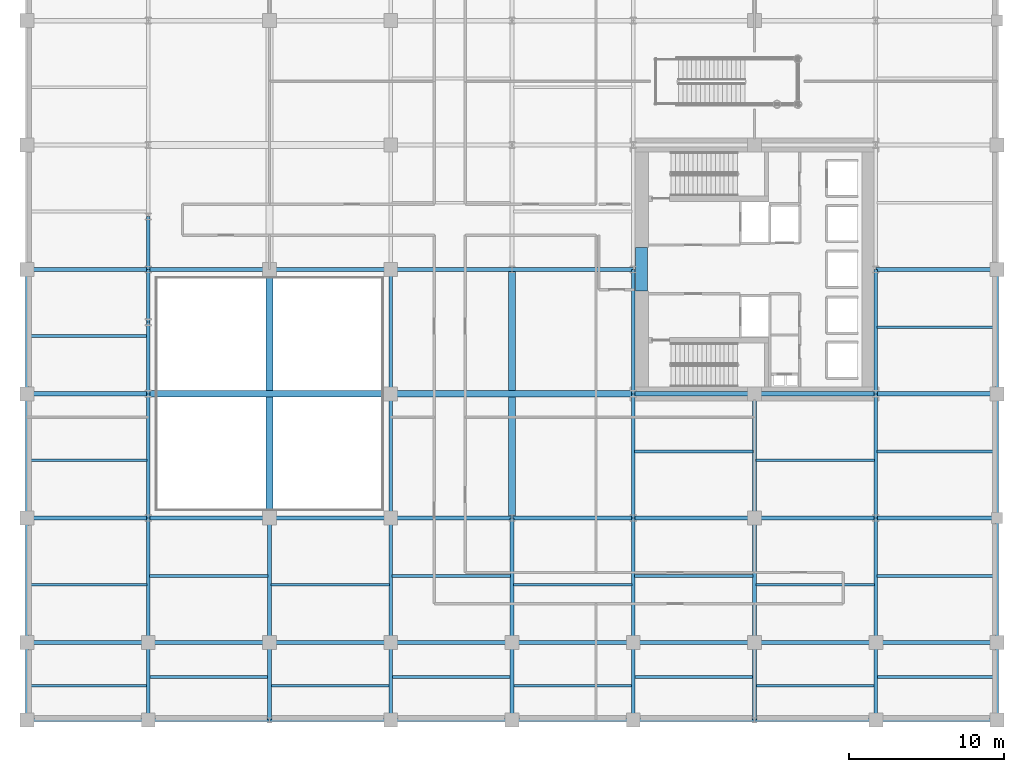
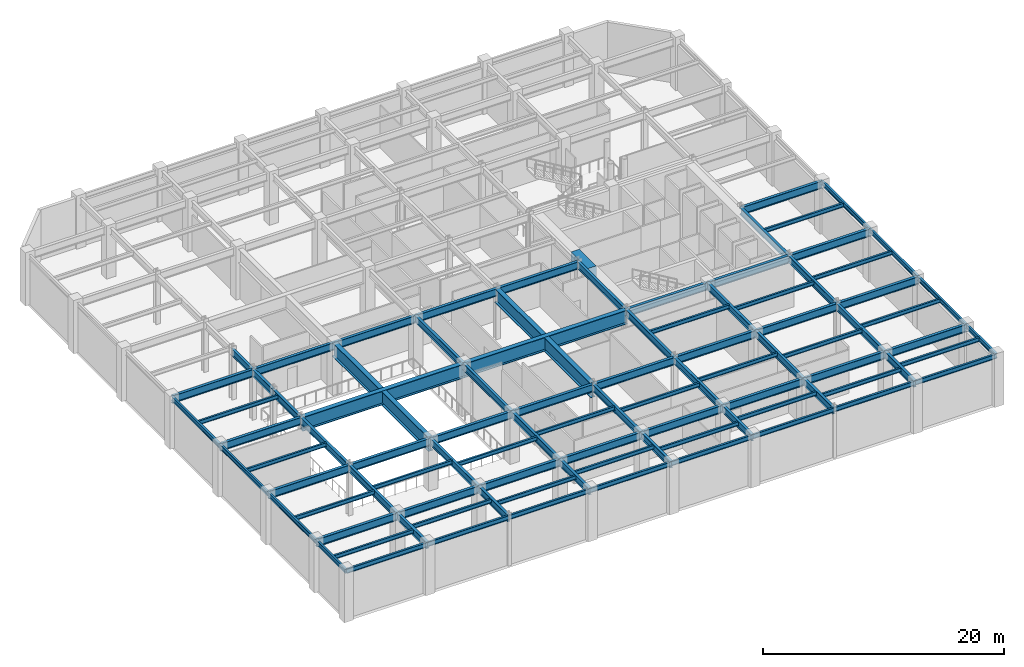
# One storey, part 6 of 13: 94 beams.
"""IFC4 building model written with IfcOpenShell, lengths in metres."""

from ifc_helpers import new_model, si_unit, direction, frame, origin, origin_2d, place, context, subcontext, project, spatial, rectangle, i_section, extrude, material, material_profile, profile_set, type_object, element, save


model = new_model("IFC4")

# Units and contexts
model_context = context("Model", 3, precision=1e-05, world=origin(), true_north=direction((0.0, 1.0)))
body_context = subcontext(model_context, "Body", "Model", "MODEL_VIEW")
ifc_project = project(units=[si_unit("LENGTHUNIT", "METRE"), si_unit("AREAUNIT", "SQUARE_METRE"), si_unit("VOLUMEUNIT", "CUBIC_METRE"), si_unit("PLANEANGLEUNIT", "RADIAN"), si_unit("MASSUNIT", "GRAM", prefix="KILO")], contexts=[model_context])

# Site, building, storey
site_placement = place(None, origin())
site = spatial("IfcSite", under=ifc_project, at=site_placement, CompositionType="ELEMENT")
building_placement = place(site_placement, origin())
building = spatial("IfcBuilding", under=site, at=building_placement, Name="Veymaron Broadcast Tower", CompositionType="ELEMENT")
storey_placement = place(building_placement, frame((0.0, 0.0, 21.60009765625)))
storey = spatial("IfcBuildingStorey", under=building, at=storey_placement, Name="L04", CompositionType="ELEMENT", Elevation=21.60009765625)

# Beams
ifc_material_1 = material(Name="Concrete C70/85", Category="concrete")
ifc_material_profile_1 = material_profile(ifc_material_1, rectangle(XDim=0.800048828125, YDim=1.10009765625, at=origin_2d()), Name="RC800X1100")
ifc_profile_set_1 = profile_set([ifc_material_profile_1], Name="Concrete C70/85")
beam_type_1 = type_object("IfcBeamType", Name="BM-CB1", PredefinedType="LINTEL", material=ifc_profile_set_1)
beam_1_placement = place(storey_placement, frame((39.530029296875, 22.60009765625, 4.52978515625), z_axis=(0.0, 1.0, 0.0), x_axis=(-1.0, 0.0, 0.0)))
element("IfcBeam", 1, at=beam_1_placement, inside=storey, type_object=beam_type_1, Name="L04 Core Wall west coupling beam", PredefinedType="LINTEL", context=body_context, shape_type="SweptSolid", body=[
    extrude(rectangle(XDim=0.800048828125, YDim=1.10009765625, at=origin_2d()), origin(), (0.0, 0.0, 1.0), 2.7998046875),
])
ifc_material_2 = material(Name="Structural steel ASTM A992 Gr 50", Category="steel")
ifc_material_profile_2 = material_profile(ifc_material_2, i_section(OverallWidth=0.177978515625, OverallDepth=0.406982421875, WebThickness=0.0078125, FlangeThickness=0.0126953125, at=origin_2d()), Name="W410X60")
ifc_profile_set_2 = profile_set([ifc_material_profile_2], Name="Structural steel ASTM A992 Gr 50")
beam_type_2 = type_object("IfcBeamType", Name="BM-JS1", PredefinedType="JOIST", material=ifc_profile_set_2)
for number, where, z_axis, x_axis, name in (
    (2, (0.0849609375, -2.780029296875, 4.87646484375), (1.0, 0.0, 0.0), (0.0, 1.0, 0.0), "L04 podium secondary floor joist"),
    (3, (0.0849609375, 3.719970703125, 4.87646484375), (1.0, 0.0, 0.0), (0.0, 1.0, 0.0), "L04 podium secondary floor joist"),
    (4, (0.0849609375, 11.719970703125, 4.87646484375), (1.0, 0.0, 0.0), (0.0, 1.0, 0.0), "L04 podium secondary floor joist"),
    (5, (0.0849609375, 19.719970703125, 4.87646484375), (1.0, 0.0, 0.0), (0.0, 1.0, 0.0), "L04 podium secondary floor joist"),
):
    element("IfcBeam", number, at=place(storey_placement, frame(where, z_axis=z_axis, x_axis=x_axis)), inside=storey, type_object=beam_type_2, Name=name, PredefinedType="JOIST", context=body_context, shape_type="SweptSolid", body=[
        extrude(i_section(OverallWidth=0.177978515625, OverallDepth=0.406982421875, WebThickness=0.0078125, FlangeThickness=0.0126953125, at=origin_2d()), origin(), (0.0, 0.0, 1.0), 7.630126953125),
    ])
for number, where, z_axis, x_axis, name in (
    (6, (7.885009765625, -2.219970703125, 4.87646484375), (1.0, 0.0, 0.0), (0.0, 1.0, 0.0), "L04 podium secondary floor joist"),
    (7, (7.885009765625, 4.280029296875, 4.87646484375), (1.0, 0.0, 0.0), (0.0, 1.0, 0.0), "L04 podium secondary floor joist"),
    (8, (15.68505859375, -2.780029296875, 4.87646484375), (1.0, 0.0, 0.0), (0.0, 1.0, 0.0), "L04 podium secondary floor joist"),
    (9, (15.68505859375, 3.719970703125, 4.87646484375), (1.0, 0.0, 0.0), (0.0, 1.0, 0.0), "L04 podium secondary floor joist"),
    (10, (23.485107421875, -2.219970703125, 4.87646484375), (1.0, 0.0, 0.0), (0.0, 1.0, 0.0), "L04 podium secondary floor joist"),
    (11, (23.485107421875, 4.280029296875, 4.87646484375), (1.0, 0.0, 0.0), (0.0, 1.0, 0.0), "L04 podium secondary floor joist"),
):
    element("IfcBeam", number, at=place(storey_placement, frame(where, z_axis=z_axis, x_axis=x_axis)), inside=storey, type_object=beam_type_2, Name=name, PredefinedType="JOIST", context=body_context, shape_type="SweptSolid", body=[
        extrude(i_section(OverallWidth=0.177978515625, OverallDepth=0.406982421875, WebThickness=0.0078125, FlangeThickness=0.0126953125, at=origin_2d()), origin(), (0.0, 0.0, 1.0), 7.6298828125),
    ])
for number, where, z_axis, x_axis, name in (
    (12, (31.284912109375, -2.780029296875, 4.87646484375), (1.0, 0.0, 0.0), (0.0, 1.0, 0.0), "L04 podium secondary floor joist"),
    (13, (31.284912109375, 3.719970703125, 4.87646484375), (1.0, 0.0, 0.0), (0.0, 1.0, 0.0), "L04 podium secondary floor joist"),
    (14, (39.0849609375, -2.219970703125, 4.87646484375), (1.0, 0.0, 0.0), (0.0, 1.0, 0.0), "L04 podium secondary floor joist"),
    (15, (39.0849609375, 4.280029296875, 4.87646484375), (1.0, 0.0, 0.0), (0.0, 1.0, 0.0), "L04 podium secondary floor joist"),
    (16, (39.0849609375, 12.280029296875, 4.87646484375), (1.0, 0.0, 0.0), (0.0, 1.0, 0.0), "L04 podium secondary floor joist"),
):
    element("IfcBeam", number, at=place(storey_placement, frame(where, z_axis=z_axis, x_axis=x_axis)), inside=storey, type_object=beam_type_2, Name=name, PredefinedType="JOIST", context=body_context, shape_type="SweptSolid", body=[
        extrude(i_section(OverallWidth=0.177978515625, OverallDepth=0.406982421875, WebThickness=0.0078125, FlangeThickness=0.0126953125, at=origin_2d()), origin(), (0.0, 0.0, 1.0), 7.630126953125),
    ])
for number, where, z_axis, x_axis, name in (
    (17, (46.885009765625, -2.780029296875, 4.87646484375), (1.0, 0.0, 0.0), (0.0, 1.0, 0.0), "L04 podium secondary floor joist"),
    (18, (46.885009765625, 3.719970703125, 4.87646484375), (1.0, 0.0, 0.0), (0.0, 1.0, 0.0), "L04 podium secondary floor joist"),
    (19, (46.885009765625, 11.719970703125, 4.87646484375), (1.0, 0.0, 0.0), (0.0, 1.0, 0.0), "L04 podium secondary floor joist"),
    (20, (54.68505859375, -2.219970703125, 4.87646484375), (1.0, 0.0, 0.0), (0.0, 1.0, 0.0), "L04 podium secondary floor joist"),
    (21, (54.68505859375, 4.280029296875, 4.87646484375), (1.0, 0.0, 0.0), (0.0, 1.0, 0.0), "L04 podium secondary floor joist"),
    (22, (54.68505859375, 12.280029296875, 4.87646484375), (1.0, 0.0, 0.0), (0.0, 1.0, 0.0), "L04 podium secondary floor joist"),
    (23, (54.68505859375, 20.280029296875, 4.87646484375), (1.0, 0.0, 0.0), (0.0, 1.0, 0.0), "L04 podium secondary floor joist"),
):
    element("IfcBeam", number, at=place(storey_placement, frame(where, z_axis=z_axis, x_axis=x_axis)), inside=storey, type_object=beam_type_2, Name=name, PredefinedType="JOIST", context=body_context, shape_type="SweptSolid", body=[
        extrude(i_section(OverallWidth=0.177978515625, OverallDepth=0.406982421875, WebThickness=0.0078125, FlangeThickness=0.0126953125, at=origin_2d()), origin(), (0.0, 0.0, 1.0), 7.6298828125),
    ])
ifc_material_profile_3 = material_profile(ifc_material_2, i_section(OverallWidth=0.26806640625, OverallDepth=0.77001953125, WebThickness=0.015625, FlangeThickness=0.025390625, at=origin_2d()), Name="W760X196")
ifc_profile_set_3 = profile_set([ifc_material_profile_3], Name="Structural steel ASTM A992 Gr 50")
beam_type_3 = type_object("IfcBeamType", Name="BM-PG1", PredefinedType="BEAM", material=ifc_profile_set_3)
for number, where, z_axis, x_axis, name in (
    (24, (0.0, 0.0, 4.69482421875), (1.0, 0.0, 0.0), (0.0, 1.0, 0.0), "L04 podium primary X-girder"),
    (25, (7.800048828125, 0.0, 4.69482421875), (1.0, 0.0, 0.0), (0.0, 1.0, 0.0), "L04 podium primary X-girder"),
):
    element("IfcBeam", number, at=place(storey_placement, frame(where, z_axis=z_axis, x_axis=x_axis)), inside=storey, type_object=beam_type_3, Name=name, PredefinedType="BEAM", context=body_context, shape_type="SweptSolid", body=[
        extrude(i_section(OverallWidth=0.26806640625, OverallDepth=0.77001953125, WebThickness=0.015625, FlangeThickness=0.025390625, at=origin_2d()), origin(), (0.0, 0.0, 1.0), 7.800048828125),
    ])
beam_2_placement = place(storey_placement, frame((15.60009765625, 0.0, 4.69482421875), z_axis=(1.0, 0.0, 0.0), x_axis=(0.0, 1.0, 0.0)))
element("IfcBeam", 26, at=beam_2_placement, inside=storey, type_object=beam_type_3, Name="L04 podium primary X-girder", PredefinedType="BEAM", context=body_context, shape_type="SweptSolid", body=[
    extrude(i_section(OverallWidth=0.26806640625, OverallDepth=0.77001953125, WebThickness=0.015625, FlangeThickness=0.025390625, at=origin_2d()), origin(), (0.0, 0.0, 1.0), 7.7998046875),
])
for number, where, z_axis, x_axis, name in (
    (27, (23.39990234375, 0.0, 4.69482421875), (1.0, 0.0, 0.0), (0.0, 1.0, 0.0), "L04 podium primary X-girder"),
    (28, (31.199951171875, 0.0, 4.69482421875), (1.0, 0.0, 0.0), (0.0, 1.0, 0.0), "L04 podium primary X-girder"),
    (29, (39.0, 0.0, 4.69482421875), (1.0, 0.0, 0.0), (0.0, 1.0, 0.0), "L04 podium primary X-girder"),
    (30, (46.800048828125, 0.0, 4.69482421875), (1.0, 0.0, 0.0), (0.0, 1.0, 0.0), "L04 podium primary X-girder"),
):
    element("IfcBeam", number, at=place(storey_placement, frame(where, z_axis=z_axis, x_axis=x_axis)), inside=storey, type_object=beam_type_3, Name=name, PredefinedType="BEAM", context=body_context, shape_type="SweptSolid", body=[
        extrude(i_section(OverallWidth=0.26806640625, OverallDepth=0.77001953125, WebThickness=0.015625, FlangeThickness=0.025390625, at=origin_2d()), origin(), (0.0, 0.0, 1.0), 7.800048828125),
    ])
beam_3_placement = place(storey_placement, frame((54.60009765625, 0.0, 4.69482421875), z_axis=(1.0, 0.0, 0.0), x_axis=(0.0, 1.0, 0.0)))
element("IfcBeam", 31, at=beam_3_placement, inside=storey, type_object=beam_type_3, Name="L04 podium primary X-girder", PredefinedType="BEAM", context=body_context, shape_type="SweptSolid", body=[
    extrude(i_section(OverallWidth=0.26806640625, OverallDepth=0.77001953125, WebThickness=0.015625, FlangeThickness=0.025390625, at=origin_2d()), origin(), (0.0, 0.0, 1.0), 7.7998046875),
])
for number, where, z_axis, x_axis, name in (
    (32, (0.0, 8.0, 4.69482421875), (1.0, 0.0, 0.0), (0.0, 1.0, 0.0), "L04 podium primary X-girder"),
    (33, (7.800048828125, 8.0, 4.69482421875), (1.0, 0.0, 0.0), (0.0, 1.0, 0.0), "L04 podium primary X-girder"),
):
    element("IfcBeam", number, at=place(storey_placement, frame(where, z_axis=z_axis, x_axis=x_axis)), inside=storey, type_object=beam_type_3, Name=name, PredefinedType="BEAM", context=body_context, shape_type="SweptSolid", body=[
        extrude(i_section(OverallWidth=0.26806640625, OverallDepth=0.77001953125, WebThickness=0.015625, FlangeThickness=0.025390625, at=origin_2d()), origin(), (0.0, 0.0, 1.0), 7.800048828125),
    ])
beam_4_placement = place(storey_placement, frame((15.60009765625, 8.0, 4.69482421875), z_axis=(1.0, 0.0, 0.0), x_axis=(0.0, 1.0, 0.0)))
element("IfcBeam", 34, at=beam_4_placement, inside=storey, type_object=beam_type_3, Name="L04 podium primary X-girder", PredefinedType="BEAM", context=body_context, shape_type="SweptSolid", body=[
    extrude(i_section(OverallWidth=0.26806640625, OverallDepth=0.77001953125, WebThickness=0.015625, FlangeThickness=0.025390625, at=origin_2d()), origin(), (0.0, 0.0, 1.0), 7.7998046875),
])
for number, where, z_axis, x_axis, name in (
    (35, (23.39990234375, 8.0, 4.69482421875), (1.0, 0.0, 0.0), (0.0, 1.0, 0.0), "L04 podium primary X-girder"),
    (36, (31.199951171875, 8.0, 4.69482421875), (1.0, 0.0, 0.0), (0.0, 1.0, 0.0), "L04 podium primary X-girder"),
    (37, (39.0, 8.0, 4.69482421875), (1.0, 0.0, 0.0), (0.0, 1.0, 0.0), "L04 podium primary X-girder"),
    (38, (46.800048828125, 8.0, 4.69482421875), (1.0, 0.0, 0.0), (0.0, 1.0, 0.0), "L04 podium primary X-girder"),
):
    element("IfcBeam", number, at=place(storey_placement, frame(where, z_axis=z_axis, x_axis=x_axis)), inside=storey, type_object=beam_type_3, Name=name, PredefinedType="BEAM", context=body_context, shape_type="SweptSolid", body=[
        extrude(i_section(OverallWidth=0.26806640625, OverallDepth=0.77001953125, WebThickness=0.015625, FlangeThickness=0.025390625, at=origin_2d()), origin(), (0.0, 0.0, 1.0), 7.800048828125),
    ])
beam_5_placement = place(storey_placement, frame((54.60009765625, 8.0, 4.69482421875), z_axis=(1.0, 0.0, 0.0), x_axis=(0.0, 1.0, 0.0)))
element("IfcBeam", 39, at=beam_5_placement, inside=storey, type_object=beam_type_3, Name="L04 podium primary X-girder", PredefinedType="BEAM", context=body_context, shape_type="SweptSolid", body=[
    extrude(i_section(OverallWidth=0.26806640625, OverallDepth=0.77001953125, WebThickness=0.015625, FlangeThickness=0.025390625, at=origin_2d()), origin(), (0.0, 0.0, 1.0), 7.7998046875),
])
for number, where, z_axis, x_axis, name in (
    (40, (0.0, 16.0, 4.69482421875), (1.0, 0.0, 0.0), (0.0, 1.0, 0.0), "L04 podium primary X-girder"),
    (41, (39.0, 16.0, 4.69482421875), (1.0, 0.0, 0.0), (0.0, 1.0, 0.0), "L04 podium primary X-girder"),
    (42, (46.800048828125, 16.0, 4.69482421875), (1.0, 0.0, 0.0), (0.0, 1.0, 0.0), "L04 podium primary X-girder"),
):
    element("IfcBeam", number, at=place(storey_placement, frame(where, z_axis=z_axis, x_axis=x_axis)), inside=storey, type_object=beam_type_3, Name=name, PredefinedType="BEAM", context=body_context, shape_type="SweptSolid", body=[
        extrude(i_section(OverallWidth=0.26806640625, OverallDepth=0.77001953125, WebThickness=0.015625, FlangeThickness=0.025390625, at=origin_2d()), origin(), (0.0, 0.0, 1.0), 7.800048828125),
    ])
beam_6_placement = place(storey_placement, frame((54.60009765625, 16.0, 4.69482421875), z_axis=(1.0, 0.0, 0.0), x_axis=(0.0, 1.0, 0.0)))
element("IfcBeam", 43, at=beam_6_placement, inside=storey, type_object=beam_type_3, Name="L04 podium primary X-girder", PredefinedType="BEAM", context=body_context, shape_type="SweptSolid", body=[
    extrude(i_section(OverallWidth=0.26806640625, OverallDepth=0.77001953125, WebThickness=0.015625, FlangeThickness=0.025390625, at=origin_2d()), origin(), (0.0, 0.0, 1.0), 7.7998046875),
])
for number, where, z_axis, x_axis, name in (
    (44, (0.0, 24.0, 4.69482421875), (1.0, 0.0, 0.0), (0.0, 1.0, 0.0), "L04 podium primary X-girder"),
    (45, (7.800048828125, 24.0, 4.69482421875), (1.0, 0.0, 0.0), (0.0, 1.0, 0.0), "L04 podium primary X-girder"),
):
    element("IfcBeam", number, at=place(storey_placement, frame(where, z_axis=z_axis, x_axis=x_axis)), inside=storey, type_object=beam_type_3, Name=name, PredefinedType="BEAM", context=body_context, shape_type="SweptSolid", body=[
        extrude(i_section(OverallWidth=0.26806640625, OverallDepth=0.77001953125, WebThickness=0.015625, FlangeThickness=0.025390625, at=origin_2d()), origin(), (0.0, 0.0, 1.0), 7.800048828125),
    ])
beam_7_placement = place(storey_placement, frame((15.60009765625, 24.0, 4.69482421875), z_axis=(1.0, 0.0, 0.0), x_axis=(0.0, 1.0, 0.0)))
element("IfcBeam", 46, at=beam_7_placement, inside=storey, type_object=beam_type_3, Name="L04 podium primary X-girder", PredefinedType="BEAM", context=body_context, shape_type="SweptSolid", body=[
    extrude(i_section(OverallWidth=0.26806640625, OverallDepth=0.77001953125, WebThickness=0.015625, FlangeThickness=0.025390625, at=origin_2d()), origin(), (0.0, 0.0, 1.0), 7.7998046875),
])
for number, where, z_axis, x_axis, name in (
    (47, (23.39990234375, 24.0, 4.69482421875), (1.0, 0.0, 0.0), (0.0, 1.0, 0.0), "L04 podium primary X-girder"),
    (48, (31.199951171875, 24.0, 4.69482421875), (1.0, 0.0, 0.0), (0.0, 1.0, 0.0), "L04 podium primary X-girder"),
):
    element("IfcBeam", number, at=place(storey_placement, frame(where, z_axis=z_axis, x_axis=x_axis)), inside=storey, type_object=beam_type_3, Name=name, PredefinedType="BEAM", context=body_context, shape_type="SweptSolid", body=[
        extrude(i_section(OverallWidth=0.26806640625, OverallDepth=0.77001953125, WebThickness=0.015625, FlangeThickness=0.025390625, at=origin_2d()), origin(), (0.0, 0.0, 1.0), 7.800048828125),
    ])
beam_8_placement = place(storey_placement, frame((54.60009765625, 24.0, 4.69482421875), z_axis=(1.0, 0.0, 0.0), x_axis=(0.0, 1.0, 0.0)))
element("IfcBeam", 49, at=beam_8_placement, inside=storey, type_object=beam_type_3, Name="L04 podium primary X-girder", PredefinedType="BEAM", context=body_context, shape_type="SweptSolid", body=[
    extrude(i_section(OverallWidth=0.26806640625, OverallDepth=0.77001953125, WebThickness=0.015625, FlangeThickness=0.025390625, at=origin_2d()), origin(), (0.0, 0.0, 1.0), 7.7998046875),
])
ifc_material_profile_4 = material_profile(ifc_material_2, i_section(OverallWidth=0.256103515625, OverallDepth=0.693115234375, WebThickness=0.014404296875, FlangeThickness=0.023681640625, at=origin_2d()), Name="W690X170")
ifc_profile_set_4 = profile_set([ifc_material_profile_4], Name="Structural steel ASTM A992 Gr 50")
beam_type_4 = type_object("IfcBeamType", Name="BM-PG2", PredefinedType="BEAM", material=ifc_profile_set_4)
beam_9_placement = place(storey_placement, frame((7.800048828125, -5.0, 4.7333984375), z_axis=(0.0, 1.0, 0.0), x_axis=(-1.0, 0.0, 0.0)))
element("IfcBeam", 50, at=beam_9_placement, inside=storey, type_object=beam_type_4, Name="L04 podium primary Y-girder", PredefinedType="BEAM", context=body_context, shape_type="SweptSolid", body=[
    extrude(i_section(OverallWidth=0.256103515625, OverallDepth=0.693115234375, WebThickness=0.014404296875, FlangeThickness=0.023681640625, at=origin_2d()), origin(), (0.0, 0.0, 1.0), 5.0),
])
for number, where, z_axis, x_axis, name in (
    (51, (7.800048828125, 0.0, 4.7333984375), (0.0, 1.0, 0.0), (-1.0, 0.0, 0.0), "L04 podium primary Y-girder"),
    (52, (7.800048828125, 8.0, 4.7333984375), (0.0, 1.0, 0.0), (-1.0, 0.0, 0.0), "L04 podium primary Y-girder"),
):
    element("IfcBeam", number, at=place(storey_placement, frame(where, z_axis=z_axis, x_axis=x_axis)), inside=storey, type_object=beam_type_4, Name=name, PredefinedType="BEAM", context=body_context, shape_type="SweptSolid", body=[
        extrude(i_section(OverallWidth=0.256103515625, OverallDepth=0.693115234375, WebThickness=0.014404296875, FlangeThickness=0.023681640625, at=origin_2d()), origin(), (0.0, 0.0, 1.0), 8.0),
    ])
beam_10_placement = place(storey_placement, frame((7.800048828125, 16.0, 4.7333984375), z_axis=(0.0, 1.0, 0.0), x_axis=(-1.0, 0.0, 0.0)))
element("IfcBeam", 53, at=beam_10_placement, inside=storey, type_object=beam_type_4, Name="L04 podium primary Y-girder", PredefinedType="BEAM", context=body_context, shape_type="SweptSolid", body=[
    extrude(i_section(OverallWidth=0.256103515625, OverallDepth=0.693115234375, WebThickness=0.014404296875, FlangeThickness=0.023681640625, at=origin_2d()), origin(), (0.0, 0.0, 1.0), 4.60009765625),
])
for number, where, z_axis, x_axis, name in (
    (54, (7.800048828125, 20.60009765625, 4.7333984375), (0.0, 1.0, 0.0), (-1.0, 0.0, 0.0), "L04 podium primary Y-girder"),
    (55, (7.800048828125, 24.0, 4.7333984375), (0.0, 1.0, 0.0), (-1.0, 0.0, 0.0), "L04 podium primary Y-girder"),
):
    element("IfcBeam", number, at=place(storey_placement, frame(where, z_axis=z_axis, x_axis=x_axis)), inside=storey, type_object=beam_type_4, Name=name, PredefinedType="BEAM", context=body_context, shape_type="SweptSolid", body=[
        extrude(i_section(OverallWidth=0.256103515625, OverallDepth=0.693115234375, WebThickness=0.014404296875, FlangeThickness=0.023681640625, at=origin_2d()), origin(), (0.0, 0.0, 1.0), 3.39990234375),
    ])
beam_11_placement = place(storey_placement, frame((15.60009765625, -5.0, 4.7333984375), z_axis=(0.0, 1.0, 0.0), x_axis=(-1.0, 0.0, 0.0)))
element("IfcBeam", 56, at=beam_11_placement, inside=storey, type_object=beam_type_4, Name="L04 podium primary Y-girder", PredefinedType="BEAM", context=body_context, shape_type="SweptSolid", body=[
    extrude(i_section(OverallWidth=0.256103515625, OverallDepth=0.693115234375, WebThickness=0.014404296875, FlangeThickness=0.023681640625, at=origin_2d()), origin(), (0.0, 0.0, 1.0), 5.0),
])
beam_12_placement = place(storey_placement, frame((15.60009765625, 0.0, 4.7333984375), z_axis=(0.0, 1.0, 0.0), x_axis=(-1.0, 0.0, 0.0)))
element("IfcBeam", 57, at=beam_12_placement, inside=storey, type_object=beam_type_4, Name="L04 podium primary Y-girder", PredefinedType="BEAM", context=body_context, shape_type="SweptSolid", body=[
    extrude(i_section(OverallWidth=0.256103515625, OverallDepth=0.693115234375, WebThickness=0.014404296875, FlangeThickness=0.023681640625, at=origin_2d()), origin(), (0.0, 0.0, 1.0), 8.0),
])
beam_13_placement = place(storey_placement, frame((23.39990234375, -5.0, 4.7333984375), z_axis=(0.0, 1.0, 0.0), x_axis=(-1.0, 0.0, 0.0)))
element("IfcBeam", 58, at=beam_13_placement, inside=storey, type_object=beam_type_4, Name="L04 podium primary Y-girder", PredefinedType="BEAM", context=body_context, shape_type="SweptSolid", body=[
    extrude(i_section(OverallWidth=0.256103515625, OverallDepth=0.693115234375, WebThickness=0.014404296875, FlangeThickness=0.023681640625, at=origin_2d()), origin(), (0.0, 0.0, 1.0), 5.0),
])
for number, where, z_axis, x_axis, name in (
    (59, (23.39990234375, 0.0, 4.7333984375), (0.0, 1.0, 0.0), (-1.0, 0.0, 0.0), "L04 podium primary Y-girder"),
    (60, (23.39990234375, 8.0, 4.7333984375), (0.0, 1.0, 0.0), (-1.0, 0.0, 0.0), "L04 podium primary Y-girder"),
    (61, (23.39990234375, 16.0, 4.7333984375), (0.0, 1.0, 0.0), (-1.0, 0.0, 0.0), "L04 podium primary Y-girder"),
):
    element("IfcBeam", number, at=place(storey_placement, frame(where, z_axis=z_axis, x_axis=x_axis)), inside=storey, type_object=beam_type_4, Name=name, PredefinedType="BEAM", context=body_context, shape_type="SweptSolid", body=[
        extrude(i_section(OverallWidth=0.256103515625, OverallDepth=0.693115234375, WebThickness=0.014404296875, FlangeThickness=0.023681640625, at=origin_2d()), origin(), (0.0, 0.0, 1.0), 8.0),
    ])
beam_14_placement = place(storey_placement, frame((31.199951171875, -5.0, 4.7333984375), z_axis=(0.0, 1.0, 0.0), x_axis=(-1.0, 0.0, 0.0)))
element("IfcBeam", 62, at=beam_14_placement, inside=storey, type_object=beam_type_4, Name="L04 podium primary Y-girder", PredefinedType="BEAM", context=body_context, shape_type="SweptSolid", body=[
    extrude(i_section(OverallWidth=0.256103515625, OverallDepth=0.693115234375, WebThickness=0.014404296875, FlangeThickness=0.023681640625, at=origin_2d()), origin(), (0.0, 0.0, 1.0), 5.0),
])
beam_15_placement = place(storey_placement, frame((31.199951171875, 0.0, 4.7333984375), z_axis=(0.0, 1.0, 0.0), x_axis=(-1.0, 0.0, 0.0)))
element("IfcBeam", 63, at=beam_15_placement, inside=storey, type_object=beam_type_4, Name="L04 podium primary Y-girder", PredefinedType="BEAM", context=body_context, shape_type="SweptSolid", body=[
    extrude(i_section(OverallWidth=0.256103515625, OverallDepth=0.693115234375, WebThickness=0.014404296875, FlangeThickness=0.023681640625, at=origin_2d()), origin(), (0.0, 0.0, 1.0), 8.0),
])
beam_16_placement = place(storey_placement, frame((39.0, -5.0, 4.7333984375), z_axis=(0.0, 1.0, 0.0), x_axis=(-1.0, 0.0, 0.0)))
element("IfcBeam", 64, at=beam_16_placement, inside=storey, type_object=beam_type_4, Name="L04 podium primary Y-girder", PredefinedType="BEAM", context=body_context, shape_type="SweptSolid", body=[
    extrude(i_section(OverallWidth=0.256103515625, OverallDepth=0.693115234375, WebThickness=0.014404296875, FlangeThickness=0.023681640625, at=origin_2d()), origin(), (0.0, 0.0, 1.0), 5.0),
])
for number, where, z_axis, x_axis, name in (
    (65, (39.0, 0.0, 4.7333984375), (0.0, 1.0, 0.0), (-1.0, 0.0, 0.0), "L04 podium primary Y-girder"),
    (66, (39.0, 8.0, 4.7333984375), (0.0, 1.0, 0.0), (-1.0, 0.0, 0.0), "L04 podium primary Y-girder"),
    (67, (39.0, 16.0, 4.7333984375), (0.0, 1.0, 0.0), (-1.0, 0.0, 0.0), "L04 podium primary Y-girder"),
):
    element("IfcBeam", number, at=place(storey_placement, frame(where, z_axis=z_axis, x_axis=x_axis)), inside=storey, type_object=beam_type_4, Name=name, PredefinedType="BEAM", context=body_context, shape_type="SweptSolid", body=[
        extrude(i_section(OverallWidth=0.256103515625, OverallDepth=0.693115234375, WebThickness=0.014404296875, FlangeThickness=0.023681640625, at=origin_2d()), origin(), (0.0, 0.0, 1.0), 8.0),
    ])
beam_17_placement = place(storey_placement, frame((46.800048828125, -5.0, 4.7333984375), z_axis=(0.0, 1.0, 0.0), x_axis=(-1.0, 0.0, 0.0)))
element("IfcBeam", 68, at=beam_17_placement, inside=storey, type_object=beam_type_4, Name="L04 podium primary Y-girder", PredefinedType="BEAM", context=body_context, shape_type="SweptSolid", body=[
    extrude(i_section(OverallWidth=0.256103515625, OverallDepth=0.693115234375, WebThickness=0.014404296875, FlangeThickness=0.023681640625, at=origin_2d()), origin(), (0.0, 0.0, 1.0), 5.0),
])
for number, where, z_axis, x_axis, name in (
    (69, (46.800048828125, 0.0, 4.7333984375), (0.0, 1.0, 0.0), (-1.0, 0.0, 0.0), "L04 podium primary Y-girder"),
    (70, (46.800048828125, 8.0, 4.7333984375), (0.0, 1.0, 0.0), (-1.0, 0.0, 0.0), "L04 podium primary Y-girder"),
):
    element("IfcBeam", number, at=place(storey_placement, frame(where, z_axis=z_axis, x_axis=x_axis)), inside=storey, type_object=beam_type_4, Name=name, PredefinedType="BEAM", context=body_context, shape_type="SweptSolid", body=[
        extrude(i_section(OverallWidth=0.256103515625, OverallDepth=0.693115234375, WebThickness=0.014404296875, FlangeThickness=0.023681640625, at=origin_2d()), origin(), (0.0, 0.0, 1.0), 8.0),
    ])
beam_18_placement = place(storey_placement, frame((54.60009765625, -5.0, 4.7333984375), z_axis=(0.0, 1.0, 0.0), x_axis=(-1.0, 0.0, 0.0)))
element("IfcBeam", 71, at=beam_18_placement, inside=storey, type_object=beam_type_4, Name="L04 podium primary Y-girder", PredefinedType="BEAM", context=body_context, shape_type="SweptSolid", body=[
    extrude(i_section(OverallWidth=0.256103515625, OverallDepth=0.693115234375, WebThickness=0.014404296875, FlangeThickness=0.023681640625, at=origin_2d()), origin(), (0.0, 0.0, 1.0), 5.0),
])
for number, where, z_axis, x_axis, name in (
    (72, (54.60009765625, 0.0, 4.7333984375), (0.0, 1.0, 0.0), (-1.0, 0.0, 0.0), "L04 podium primary Y-girder"),
    (73, (54.60009765625, 8.0, 4.7333984375), (0.0, 1.0, 0.0), (-1.0, 0.0, 0.0), "L04 podium primary Y-girder"),
    (74, (54.60009765625, 16.0, 4.7333984375), (0.0, 1.0, 0.0), (-1.0, 0.0, 0.0), "L04 podium primary Y-girder"),
):
    element("IfcBeam", number, at=place(storey_placement, frame(where, z_axis=z_axis, x_axis=x_axis)), inside=storey, type_object=beam_type_4, Name=name, PredefinedType="BEAM", context=body_context, shape_type="SweptSolid", body=[
        extrude(i_section(OverallWidth=0.256103515625, OverallDepth=0.693115234375, WebThickness=0.014404296875, FlangeThickness=0.023681640625, at=origin_2d()), origin(), (0.0, 0.0, 1.0), 8.0),
    ])
ifc_material_profile_5 = material_profile(ifc_material_2, i_section(OverallWidth=0.19091796875, OverallDepth=0.4599609375, WebThickness=0.010009765625, FlangeThickness=0.01611328125, at=origin_2d()), Name="W460X82")
ifc_profile_set_5 = profile_set([ifc_material_profile_5], Name="Structural steel ASTM A992 Gr 50")
beam_type_5 = type_object("IfcBeamType", Name="BM-SP1", PredefinedType="SPANDREL", material=ifc_profile_set_5)
for number, where, z_axis, x_axis, name in (
    (75, (0.0, -5.0, 4.849853515625), (1.0, 0.0, 0.0), (0.0, 1.0, 0.0), "L04 podium primary X-girder"),
    (76, (7.800048828125, -5.0, 4.849853515625), (1.0, 0.0, 0.0), (0.0, 1.0, 0.0), "L04 podium primary X-girder"),
):
    element("IfcBeam", number, at=place(storey_placement, frame(where, z_axis=z_axis, x_axis=x_axis)), inside=storey, type_object=beam_type_5, Name=name, PredefinedType="SPANDREL", context=body_context, shape_type="SweptSolid", body=[
        extrude(i_section(OverallWidth=0.19091796875, OverallDepth=0.4599609375, WebThickness=0.010009765625, FlangeThickness=0.01611328125, at=origin_2d()), origin(), (0.0, 0.0, 1.0), 7.800048828125),
    ])
beam_19_placement = place(storey_placement, frame((15.60009765625, -5.0, 4.849853515625), z_axis=(1.0, 0.0, 0.0), x_axis=(0.0, 1.0, 0.0)))
element("IfcBeam", 77, at=beam_19_placement, inside=storey, type_object=beam_type_5, Name="L04 podium primary X-girder", PredefinedType="SPANDREL", context=body_context, shape_type="SweptSolid", body=[
    extrude(i_section(OverallWidth=0.19091796875, OverallDepth=0.4599609375, WebThickness=0.010009765625, FlangeThickness=0.01611328125, at=origin_2d()), origin(), (0.0, 0.0, 1.0), 7.7998046875),
])
for number, where, z_axis, x_axis, name in (
    (78, (23.39990234375, -5.0, 4.849853515625), (1.0, 0.0, 0.0), (0.0, 1.0, 0.0), "L04 podium primary X-girder"),
    (79, (31.199951171875, -5.0, 4.849853515625), (1.0, 0.0, 0.0), (0.0, 1.0, 0.0), "L04 podium primary X-girder"),
    (80, (39.0, -5.0, 4.849853515625), (1.0, 0.0, 0.0), (0.0, 1.0, 0.0), "L04 podium primary X-girder"),
    (81, (46.800048828125, -5.0, 4.849853515625), (1.0, 0.0, 0.0), (0.0, 1.0, 0.0), "L04 podium primary X-girder"),
):
    element("IfcBeam", number, at=place(storey_placement, frame(where, z_axis=z_axis, x_axis=x_axis)), inside=storey, type_object=beam_type_5, Name=name, PredefinedType="SPANDREL", context=body_context, shape_type="SweptSolid", body=[
        extrude(i_section(OverallWidth=0.19091796875, OverallDepth=0.4599609375, WebThickness=0.010009765625, FlangeThickness=0.01611328125, at=origin_2d()), origin(), (0.0, 0.0, 1.0), 7.800048828125),
    ])
beam_20_placement = place(storey_placement, frame((54.60009765625, -5.0, 4.849853515625), z_axis=(1.0, 0.0, 0.0), x_axis=(0.0, 1.0, 0.0)))
element("IfcBeam", 82, at=beam_20_placement, inside=storey, type_object=beam_type_5, Name="L04 podium primary X-girder", PredefinedType="SPANDREL", context=body_context, shape_type="SweptSolid", body=[
    extrude(i_section(OverallWidth=0.19091796875, OverallDepth=0.4599609375, WebThickness=0.010009765625, FlangeThickness=0.01611328125, at=origin_2d()), origin(), (0.0, 0.0, 1.0), 7.7998046875),
])
beam_21_placement = place(storey_placement, frame((0.0, -5.0, 4.849853515625), z_axis=(0.0, 1.0, 0.0), x_axis=(-1.0, 0.0, 0.0)))
element("IfcBeam", 83, at=beam_21_placement, inside=storey, type_object=beam_type_5, Name="L04 podium primary Y-girder", PredefinedType="SPANDREL", context=body_context, shape_type="SweptSolid", body=[
    extrude(i_section(OverallWidth=0.19091796875, OverallDepth=0.4599609375, WebThickness=0.010009765625, FlangeThickness=0.01611328125, at=origin_2d()), origin(), (0.0, 0.0, 1.0), 5.0),
])
for number, where, z_axis, x_axis, name in (
    (84, (0.0, 0.0, 4.849853515625), (0.0, 1.0, 0.0), (-1.0, 0.0, 0.0), "L04 podium primary Y-girder"),
    (85, (0.0, 8.0, 4.849853515625), (0.0, 1.0, 0.0), (-1.0, 0.0, 0.0), "L04 podium primary Y-girder"),
    (86, (0.0, 16.0, 4.849853515625), (0.0, 1.0, 0.0), (-1.0, 0.0, 0.0), "L04 podium primary Y-girder"),
):
    element("IfcBeam", number, at=place(storey_placement, frame(where, z_axis=z_axis, x_axis=x_axis)), inside=storey, type_object=beam_type_5, Name=name, PredefinedType="SPANDREL", context=body_context, shape_type="SweptSolid", body=[
        extrude(i_section(OverallWidth=0.19091796875, OverallDepth=0.4599609375, WebThickness=0.010009765625, FlangeThickness=0.01611328125, at=origin_2d()), origin(), (0.0, 0.0, 1.0), 8.0),
    ])
beam_22_placement = place(storey_placement, frame((62.39990234375, -5.0, 4.849853515625), z_axis=(0.0, 1.0, 0.0), x_axis=(-1.0, 0.0, 0.0)))
element("IfcBeam", 87, at=beam_22_placement, inside=storey, type_object=beam_type_5, Name="L04 podium primary Y-girder", PredefinedType="SPANDREL", context=body_context, shape_type="SweptSolid", body=[
    extrude(i_section(OverallWidth=0.19091796875, OverallDepth=0.4599609375, WebThickness=0.010009765625, FlangeThickness=0.01611328125, at=origin_2d()), origin(), (0.0, 0.0, 1.0), 5.0),
])
for number, where, z_axis, x_axis, name in (
    (88, (62.39990234375, 0.0, 4.849853515625), (0.0, 1.0, 0.0), (-1.0, 0.0, 0.0), "L04 podium primary Y-girder"),
    (89, (62.39990234375, 8.0, 4.849853515625), (0.0, 1.0, 0.0), (-1.0, 0.0, 0.0), "L04 podium primary Y-girder"),
    (90, (62.39990234375, 16.0, 4.849853515625), (0.0, 1.0, 0.0), (-1.0, 0.0, 0.0), "L04 podium primary Y-girder"),
):
    element("IfcBeam", number, at=place(storey_placement, frame(where, z_axis=z_axis, x_axis=x_axis)), inside=storey, type_object=beam_type_5, Name=name, PredefinedType="SPANDREL", context=body_context, shape_type="SweptSolid", body=[
        extrude(i_section(OverallWidth=0.19091796875, OverallDepth=0.4599609375, WebThickness=0.010009765625, FlangeThickness=0.01611328125, at=origin_2d()), origin(), (0.0, 0.0, 1.0), 8.0),
    ])
ifc_material_3 = material(Name="Structural steel ASTM A913 Gr 65", Category="steel")
ifc_material_profile_6 = material_profile(ifc_material_3, i_section(OverallWidth=0.429931640625, OverallDepth=1.419921875, WebThickness=0.030029296875, FlangeThickness=0.050048828125, at=origin_2d()), Name="W1400X550")
ifc_profile_set_6 = profile_set([ifc_material_profile_6], Name="Structural steel ASTM A913 Gr 65")
beam_type_6 = type_object("IfcBeamType", Name="BM-TG0", PredefinedType="BEAM", material=ifc_profile_set_6)
beam_23_placement = place(storey_placement, frame((7.800048828125, 16.0, 4.369873046875), z_axis=(1.0, 0.0, 0.0), x_axis=(0.0, 1.0, 0.0)))
element("IfcBeam", 91, at=beam_23_placement, inside=storey, type_object=beam_type_6, Name="L04 podium primary X-girder", PredefinedType="BEAM", context=body_context, shape_type="SweptSolid", body=[
    extrude(i_section(OverallWidth=0.429931640625, OverallDepth=1.419921875, WebThickness=0.030029296875, FlangeThickness=0.050048828125, at=origin_2d()), origin(), (0.0, 0.0, 1.0), 15.599853515625),
])
beam_24_placement = place(storey_placement, frame((23.39990234375, 16.0, 4.369873046875), z_axis=(1.0, 0.0, 0.0), x_axis=(0.0, 1.0, 0.0)))
element("IfcBeam", 92, at=beam_24_placement, inside=storey, type_object=beam_type_6, Name="L04 podium primary X-girder", PredefinedType="BEAM", context=body_context, shape_type="SweptSolid", body=[
    extrude(i_section(OverallWidth=0.429931640625, OverallDepth=1.419921875, WebThickness=0.030029296875, FlangeThickness=0.050048828125, at=origin_2d()), origin(), (0.0, 0.0, 1.0), 15.60009765625),
])
for number, where, z_axis, x_axis, name in (
    (93, (15.60009765625, 8.0, 4.369873046875), (0.0, 1.0, 0.0), (-1.0, 0.0, 0.0), "L04 podium primary Y-girder"),
    (94, (31.199951171875, 8.0, 4.369873046875), (0.0, 1.0, 0.0), (-1.0, 0.0, 0.0), "L04 podium primary Y-girder"),
):
    element("IfcBeam", number, at=place(storey_placement, frame(where, z_axis=z_axis, x_axis=x_axis)), inside=storey, type_object=beam_type_6, Name=name, PredefinedType="BEAM", context=body_context, shape_type="SweptSolid", body=[
        extrude(i_section(OverallWidth=0.429931640625, OverallDepth=1.419921875, WebThickness=0.030029296875, FlangeThickness=0.050048828125, at=origin_2d()), origin(), (0.0, 0.0, 1.0), 16.0),
    ])

save(model, "model.ifc")
